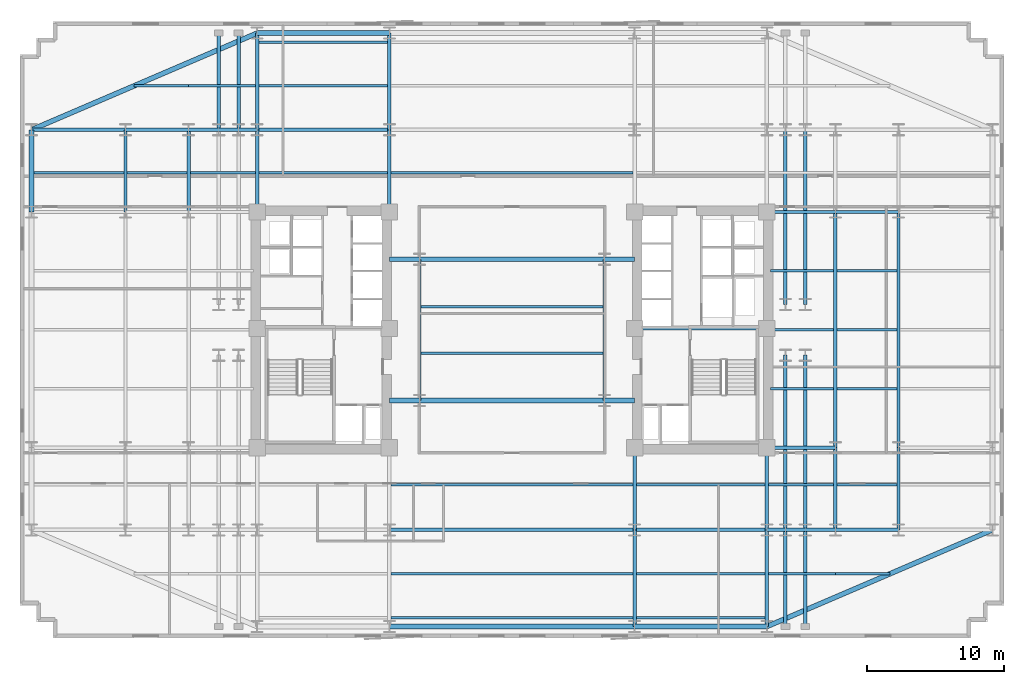
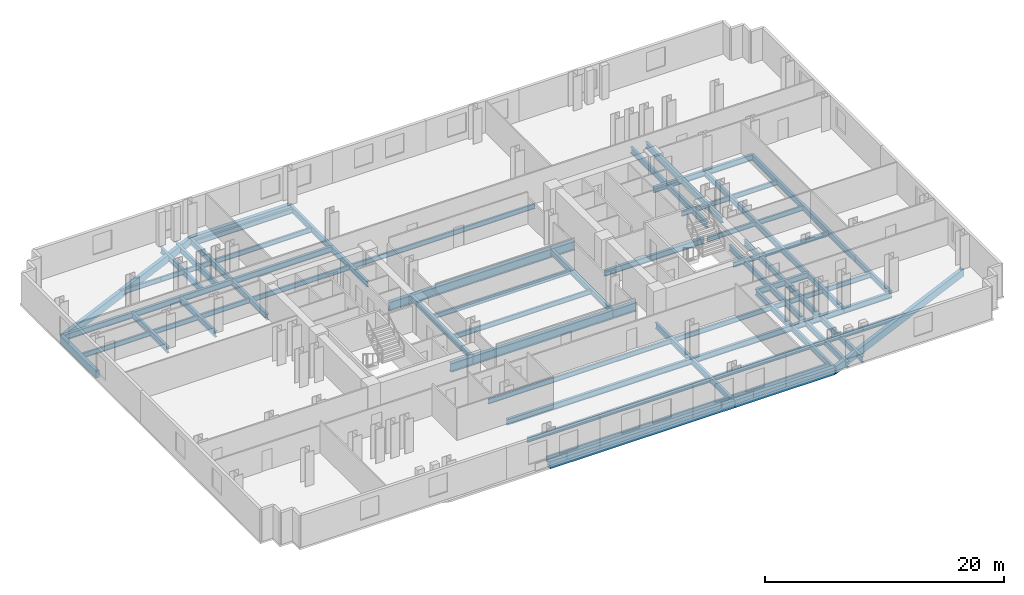
# One storey, part 2 of 10: 75 beams.
"""IFC4 building model written with IfcOpenShell, lengths in metres."""

from ifc_helpers import new_model, si_unit, direction, frame, origin, origin_2d, place, context, subcontext, project, spatial, rectangle, i_section, extrude, material, material_profile, profile_set, type_object, element, save


model = new_model("IFC4")

# Units and contexts
model_context = context("Model", 3, precision=1e-05, world=origin(), true_north=direction((0.0, 1.0)))
body_context = subcontext(model_context, "Body", "Model", "MODEL_VIEW")
ifc_project = project(units=[si_unit("LENGTHUNIT", "METRE"), si_unit("AREAUNIT", "SQUARE_METRE"), si_unit("VOLUMEUNIT", "CUBIC_METRE"), si_unit("PLANEANGLEUNIT", "RADIAN"), si_unit("MASSUNIT", "GRAM", prefix="KILO")], contexts=[model_context])

# Site, building, storey
site_placement = place(None, origin())
site = spatial("IfcSite", under=ifc_project, at=site_placement, CompositionType="ELEMENT")
building_placement = place(site_placement, origin())
building = spatial("IfcBuilding", under=site, at=building_placement, Name="Velakula Bourse", CompositionType="ELEMENT")
storey_placement = place(building_placement, frame((0.0, 0.0, 34.64990234375)))
storey = spatial("IfcBuildingStorey", under=building, at=storey_placement, Name="L08", CompositionType="ELEMENT", Elevation=34.64990234375)

# Beams
ifc_material_1 = material(Name="Steel IS 2062 Grade 350 (E350)", Category="steel")
ifc_material_profile_1 = material_profile(ifc_material_1, i_section(OverallWidth=0.25, OverallDepth=0.60009765625, WebThickness=0.01171875, FlangeThickness=0.023681640625, at=origin_2d()), Name="Steel IS 2062 Grade 350 (E350)")
ifc_profile_set_1 = profile_set([ifc_material_profile_1], Name="Steel IS 2062 Grade 350 (E350)")
beam_type_1 = type_object("IfcBeamType", Name="BM-GRD-600H", PredefinedType="BEAM", material=ifc_profile_set_1)
beam_1_placement = place(storey_placement, frame((8.949951171875, 0.10009765625, -0.47998046875), z_axis=(1.0, 0.0, 0.0), x_axis=(0.0, 1.0, 0.0)))
element("IfcBeam", 1, at=beam_1_placement, inside=storey, type_object=beam_type_1, Name="L08 Primary Backbone Girder CRE-M", PredefinedType="BEAM", context=body_context, shape_type="SweptSolid", body=[
    extrude(i_section(OverallWidth=0.25, OverallDepth=0.60009765625, WebThickness=0.01171875, FlangeThickness=0.023681640625, at=origin_2d()), origin(), (0.0, 0.0, 1.0), 9.650146484375),
])
for number, where, z_axis, x_axis, name in (
    (2, (-6.75, -5.14990234375, -0.47998046875), (0.0, 1.0, 0.0), (-1.0, 0.0, 0.0), "L08 Primary Backbone Girder SPN-W"),
    (3, (6.75, -5.14990234375, -0.47998046875), (0.0, 1.0, 0.0), (-1.0, 0.0, 0.0), "L08 Primary Backbone Girder SPN-E"),
):
    element("IfcBeam", number, at=place(storey_placement, frame(where, z_axis=z_axis, x_axis=x_axis)), inside=storey, type_object=beam_type_1, Name=name, PredefinedType="BEAM", context=body_context, shape_type="SweptSolid", body=[
        extrude(i_section(OverallWidth=0.25, OverallDepth=0.60009765625, WebThickness=0.01171875, FlangeThickness=0.023681640625, at=origin_2d()), origin(), (0.0, 0.0, 1.0), 10.2998046875),
    ])
for number, where, z_axis, x_axis, name in (
    (4, (-18.60009765625, 8.60009765625, -0.47998046875), (0.0, 1.0, 0.0), (-1.0, 0.0, 0.0), "L08 Fulcrum Grid Girder FLC-WN"),
    (5, (-8.949951171875, 8.60009765625, -0.47998046875), (0.0, 1.0, 0.0), (-1.0, 0.0, 0.0), "L08 Fulcrum Grid Girder FLC-WCN"),
    (6, (8.949951171875, -14.60009765625, -0.47998046875), (0.0, 1.0, 0.0), (-1.0, 0.0, 0.0), "L08 Fulcrum Grid Girder FLC-ECS"),
    (7, (18.60009765625, -14.60009765625, -0.47998046875), (0.0, 1.0, 0.0), (-1.0, 0.0, 0.0), "L08 Fulcrum Grid Girder FLC-ES"),
):
    element("IfcBeam", number, at=place(storey_placement, frame(where, z_axis=z_axis, x_axis=x_axis)), inside=storey, type_object=beam_type_1, Name=name, PredefinedType="BEAM", context=body_context, shape_type="SweptSolid", body=[
        extrude(i_section(OverallWidth=0.25, OverallDepth=0.60009765625, WebThickness=0.01171875, FlangeThickness=0.023681640625, at=origin_2d()), origin(), (0.0, 0.0, 1.0), 6.0),
    ])
beam_2_placement = place(storey_placement, frame((-8.949951171875, -14.60009765625, -0.47998046875), z_axis=(1.0, 0.0, 0.0), x_axis=(0.0, 1.0, 0.0)))
element("IfcBeam", 8, at=beam_2_placement, inside=storey, type_object=beam_type_1, Name="L08 Fulcrum Grid Girder FLC-S2", PredefinedType="BEAM", context=body_context, shape_type="SweptSolid", body=[
    extrude(i_section(OverallWidth=0.25, OverallDepth=0.60009765625, WebThickness=0.01171875, FlangeThickness=0.023681640625, at=origin_2d()), origin(), (0.0, 0.0, 1.0), 17.89990234375),
])
for number, where, z_axis, x_axis, name in (
    (9, (8.949951171875, -14.60009765625, -0.47998046875), (1.0, 0.0, 0.0), (0.0, 1.0, 0.0), "L08 Fulcrum Grid Girder FLC-S3"),
    (10, (-18.60009765625, 14.60009765625, -0.47998046875), (1.0, 0.0, 0.0), (0.0, 1.0, 0.0), "L08 Fulcrum Grid Girder FLC-N1"),
):
    element("IfcBeam", number, at=place(storey_placement, frame(where, z_axis=z_axis, x_axis=x_axis)), inside=storey, type_object=beam_type_1, Name=name, PredefinedType="BEAM", context=body_context, shape_type="SweptSolid", body=[
        extrude(i_section(OverallWidth=0.25, OverallDepth=0.60009765625, WebThickness=0.01171875, FlangeThickness=0.023681640625, at=origin_2d()), origin(), (0.0, 0.0, 1.0), 9.650146484375),
    ])
for number, where, z_axis, x_axis, name in (
    (11, (19.949951171875, -14.60009765625, -0.47998046875), (0.0, 1.0, 0.0), (-1.0, 0.0, 0.0), "L08 Fulcrum Grid Girder FLC-PSE1"),
    (12, (19.949951171875, 1.85009765625, -0.47998046875), (0.0, 1.0, 0.0), (-1.0, 0.0, 0.0), "L08 Fulcrum Grid Girder FLC-PNE1"),
    (13, (21.39990234375, -14.60009765625, -0.47998046875), (0.0, 1.0, 0.0), (-1.0, 0.0, 0.0), "L08 Fulcrum Grid Girder FLC-PSE2"),
    (14, (21.39990234375, 1.85009765625, -0.47998046875), (0.0, 1.0, 0.0), (-1.0, 0.0, 0.0), "L08 Fulcrum Grid Girder FLC-PNE2"),
):
    element("IfcBeam", number, at=place(storey_placement, frame(where, z_axis=z_axis, x_axis=x_axis)), inside=storey, type_object=beam_type_1, Name=name, PredefinedType="BEAM", context=body_context, shape_type="SweptSolid", body=[
        extrude(i_section(OverallWidth=0.25, OverallDepth=0.60009765625, WebThickness=0.01171875, FlangeThickness=0.023681640625, at=origin_2d()), origin(), (0.0, 0.0, 1.0), 12.75),
    ])
beam_3_placement = place(storey_placement, frame((-23.60009765625, 14.60009765625, -0.47998046875), z_axis=(1.0, 0.0, 0.0), x_axis=(0.0, 1.0, 0.0)))
element("IfcBeam", 15, at=beam_3_placement, inside=storey, type_object=beam_type_1, Name="L08 Fulcrum Grid Girder MWG-WN2", PredefinedType="BEAM", context=body_context, shape_type="SweptSolid", body=[
    extrude(i_section(OverallWidth=0.25, OverallDepth=0.60009765625, WebThickness=0.01171875, FlangeThickness=0.023681640625, at=origin_2d()), origin(), (0.0, 0.0, 1.0), 5.0),
])
beam_4_placement = place(storey_placement, frame((-23.60009765625, 8.60009765625, -0.47998046875), z_axis=(0.0, 1.0, 0.0), x_axis=(-1.0, 0.0, 0.0)))
element("IfcBeam", 16, at=beam_4_placement, inside=storey, type_object=beam_type_1, Name="L08 Fulcrum Grid Girder MWG-WNS3", PredefinedType="BEAM", context=body_context, shape_type="SweptSolid", body=[
    extrude(i_section(OverallWidth=0.25, OverallDepth=0.60009765625, WebThickness=0.01171875, FlangeThickness=0.023681640625, at=origin_2d()), origin(), (0.0, 0.0, 1.0), 6.0),
])
for number, where, z_axis, x_axis, name in (
    (17, (18.60009765625, -14.60009765625, -0.47998046875), (1.0, 0.0, 0.0), (0.0, 1.0, 0.0), "L08 Fulcrum Grid Girder MWG-ES1"),
    (18, (18.60009765625, -8.60009765625, -0.47998046875), (1.0, 0.0, 0.0), (0.0, 1.0, 0.0), "L08 Fulcrum Grid Girder MWG-ES2"),
    (19, (18.60009765625, 8.60009765625, -0.47998046875), (1.0, 0.0, 0.0), (0.0, 1.0, 0.0), "L08 Fulcrum Grid Girder MWG-EN1"),
):
    element("IfcBeam", number, at=place(storey_placement, frame(where, z_axis=z_axis, x_axis=x_axis)), inside=storey, type_object=beam_type_1, Name=name, PredefinedType="BEAM", context=body_context, shape_type="SweptSolid", body=[
        extrude(i_section(OverallWidth=0.25, OverallDepth=0.60009765625, WebThickness=0.01171875, FlangeThickness=0.023681640625, at=origin_2d()), origin(), (0.0, 0.0, 1.0), 5.0),
    ])
beam_5_placement = place(storey_placement, frame((23.60009765625, -14.60009765625, -0.47998046875), z_axis=(0.0, 1.0, 0.0), x_axis=(-1.0, 0.0, 0.0)))
element("IfcBeam", 20, at=beam_5_placement, inside=storey, type_object=beam_type_1, Name="L08 Fulcrum Grid Girder MWG-ENS1", PredefinedType="BEAM", context=body_context, shape_type="SweptSolid", body=[
    extrude(i_section(OverallWidth=0.25, OverallDepth=0.60009765625, WebThickness=0.01171875, FlangeThickness=0.023681640625, at=origin_2d()), origin(), (0.0, 0.0, 1.0), 6.0),
])
beam_6_placement = place(storey_placement, frame((23.60009765625, -8.60009765625, -0.47998046875), z_axis=(0.0, 1.0, 0.0), x_axis=(-1.0, 0.0, 0.0)))
element("IfcBeam", 21, at=beam_6_placement, inside=storey, type_object=beam_type_1, Name="L08 Fulcrum Grid Girder MWG-ENS2", PredefinedType="BEAM", context=body_context, shape_type="SweptSolid", body=[
    extrude(i_section(OverallWidth=0.25, OverallDepth=0.60009765625, WebThickness=0.01171875, FlangeThickness=0.023681640625, at=origin_2d()), origin(), (0.0, 0.0, 1.0), 17.2001953125),
])
beam_7_placement = place(storey_placement, frame((-28.199951171875, 14.60009765625, -0.47998046875), z_axis=(1.0, 0.0, 0.0), x_axis=(0.0, 1.0, 0.0)))
element("IfcBeam", 22, at=beam_7_placement, inside=storey, type_object=beam_type_1, Name="L08 Fulcrum Grid Girder WNG-WN2", PredefinedType="BEAM", context=body_context, shape_type="SweptSolid", body=[
    extrude(i_section(OverallWidth=0.25, OverallDepth=0.60009765625, WebThickness=0.01171875, FlangeThickness=0.023681640625, at=origin_2d()), origin(), (0.0, 0.0, 1.0), 4.599853515625),
])
beam_8_placement = place(storey_placement, frame((-28.199951171875, 8.60009765625, -0.47998046875), z_axis=(0.0, 1.0, 0.0), x_axis=(-1.0, 0.0, 0.0)))
element("IfcBeam", 23, at=beam_8_placement, inside=storey, type_object=beam_type_1, Name="L08 Fulcrum Grid Girder WNG-WNS3", PredefinedType="BEAM", context=body_context, shape_type="SweptSolid", body=[
    extrude(i_section(OverallWidth=0.25, OverallDepth=0.60009765625, WebThickness=0.01171875, FlangeThickness=0.023681640625, at=origin_2d()), origin(), (0.0, 0.0, 1.0), 6.0),
])
for number, where, z_axis, x_axis, name in (
    (24, (23.60009765625, -14.60009765625, -0.47998046875), (1.0, 0.0, 0.0), (0.0, 1.0, 0.0), "L08 Fulcrum Grid Girder WNG-ES1"),
    (25, (23.60009765625, 8.60009765625, -0.47998046875), (1.0, 0.0, 0.0), (0.0, 1.0, 0.0), "L08 Fulcrum Grid Girder WNG-EN1"),
):
    element("IfcBeam", number, at=place(storey_placement, frame(where, z_axis=z_axis, x_axis=x_axis)), inside=storey, type_object=beam_type_1, Name=name, PredefinedType="BEAM", context=body_context, shape_type="SweptSolid", body=[
        extrude(i_section(OverallWidth=0.25, OverallDepth=0.60009765625, WebThickness=0.01171875, FlangeThickness=0.023681640625, at=origin_2d()), origin(), (0.0, 0.0, 1.0), 4.599853515625),
    ])
beam_9_placement = place(storey_placement, frame((28.199951171875, -14.60009765625, -0.47998046875), z_axis=(0.0, 1.0, 0.0), x_axis=(-1.0, 0.0, 0.0)))
element("IfcBeam", 26, at=beam_9_placement, inside=storey, type_object=beam_type_1, Name="L08 Fulcrum Grid Girder WNG-ENS1", PredefinedType="BEAM", context=body_context, shape_type="SweptSolid", body=[
    extrude(i_section(OverallWidth=0.25, OverallDepth=0.60009765625, WebThickness=0.01171875, FlangeThickness=0.023681640625, at=origin_2d()), origin(), (0.0, 0.0, 1.0), 6.0),
])
beam_10_placement = place(storey_placement, frame((28.199951171875, -8.60009765625, -0.47998046875), z_axis=(0.0, 1.0, 0.0), x_axis=(-1.0, 0.0, 0.0)))
element("IfcBeam", 27, at=beam_10_placement, inside=storey, type_object=beam_type_1, Name="L08 Fulcrum Grid Girder WNG-ENS2", PredefinedType="BEAM", context=body_context, shape_type="SweptSolid", body=[
    extrude(i_section(OverallWidth=0.25, OverallDepth=0.60009765625, WebThickness=0.01171875, FlangeThickness=0.023681640625, at=origin_2d()), origin(), (0.0, 0.0, 1.0), 17.2001953125),
])
for number, where, z_axis, x_axis, name in (
    (28, (8.949951171875, -14.60009765625, -0.47998046875), (0.0, -1.0, 0.0), (1.0, 0.0, 0.0), "L08 Perimeter Tie Girder S3"),
    (29, (18.60009765625, -14.60009765625, -0.47998046875), (0.0, -1.0, 0.0), (1.0, 0.0, 0.0), "L08 Perimeter Tie Girder S4"),
    (30, (-18.60009765625, 14.60009765625, -0.47998046875), (0.0, 1.0, 0.0), (-1.0, 0.0, 0.0), "L08 Perimeter Tie Girder N1"),
    (31, (-8.949951171875, 14.60009765625, -0.47998046875), (0.0, 1.0, 0.0), (-1.0, 0.0, 0.0), "L08 Perimeter Tie Girder N2"),
):
    element("IfcBeam", number, at=place(storey_placement, frame(where, z_axis=z_axis, x_axis=x_axis)), inside=storey, type_object=beam_type_1, Name=name, PredefinedType="BEAM", context=body_context, shape_type="SweptSolid", body=[
        extrude(i_section(OverallWidth=0.25, OverallDepth=0.60009765625, WebThickness=0.01171875, FlangeThickness=0.023681640625, at=origin_2d()), origin(), (0.0, 0.0, 1.0), 7.0498046875),
    ])
beam_11_placement = place(storey_placement, frame((-28.199951171875, 14.60009765625, -0.47998046875), z_axis=(-1.0, 0.0, 0.0), x_axis=(0.0, -1.0, 0.0)))
element("IfcBeam", 32, at=beam_11_placement, inside=storey, type_object=beam_type_1, Name="L08 Perimeter Tie Girder W4", PredefinedType="BEAM", context=body_context, shape_type="SweptSolid", body=[
    extrude(i_section(OverallWidth=0.25, OverallDepth=0.60009765625, WebThickness=0.01171875, FlangeThickness=0.023681640625, at=origin_2d()), origin(), (0.0, 0.0, 1.0), 6.85009765625),
])
for number, where, z_axis, x_axis, name in (
    (33, (19.949951171875, -14.60009765625, -0.47998046875), (0.0, -1.0, 0.0), (1.0, 0.0, 0.0), "L08 Perimeter Tie Girder P03"),
    (34, (21.39990234375, -14.60009765625, -0.47998046875), (0.0, -1.0, 0.0), (1.0, 0.0, 0.0), "L08 Perimeter Tie Girder P04"),
    (35, (-21.39990234375, 14.60009765625, -0.47998046875), (0.0, 1.0, 0.0), (-1.0, 0.0, 0.0), "L08 Perimeter Tie Girder P05"),
    (36, (-19.949951171875, 14.60009765625, -0.47998046875), (0.0, 1.0, 0.0), (-1.0, 0.0, 0.0), "L08 Perimeter Tie Girder P06"),
):
    element("IfcBeam", number, at=place(storey_placement, frame(where, z_axis=z_axis, x_axis=x_axis)), inside=storey, type_object=beam_type_1, Name=name, PredefinedType="BEAM", context=body_context, shape_type="SweptSolid", body=[
        extrude(i_section(OverallWidth=0.25, OverallDepth=0.60009765625, WebThickness=0.01171875, FlangeThickness=0.023681640625, at=origin_2d()), origin(), (0.0, 0.0, 1.0), 7.0498046875),
    ])
ifc_material_profile_2 = material_profile(ifc_material_1, i_section(OverallWidth=0.35009765625, OverallDepth=0.89990234375, WebThickness=0.02001953125, FlangeThickness=0.031982421875, at=origin_2d()), Name="Steel IS 2062 Grade 350 (E350)")
ifc_profile_set_2 = profile_set([ifc_material_profile_2], Name="Steel IS 2062 Grade 350 (E350)")
beam_type_2 = type_object("IfcBeamType", Name="BM-LNK-900", PredefinedType="BEAM", material=ifc_profile_set_2)
beam_12_placement = place(storey_placement, frame((-8.949951171875, -5.14990234375, -0.6298828125), z_axis=(1.0, 0.0, 0.0), x_axis=(0.0, 1.0, 0.0)))
element("IfcBeam", 37, at=beam_12_placement, inside=storey, type_object=beam_type_2, Name="L08 Primary Backbone Girder LNK-S1", PredefinedType="BEAM", context=body_context, shape_type="SweptSolid", body=[
    extrude(i_section(OverallWidth=0.35009765625, OverallDepth=0.89990234375, WebThickness=0.02001953125, FlangeThickness=0.031982421875, at=origin_2d()), origin(), (0.0, 0.0, 1.0), 2.199951171875),
])
beam_13_placement = place(storey_placement, frame((-6.75, -5.14990234375, -0.6298828125), z_axis=(1.0, 0.0, 0.0), x_axis=(0.0, 1.0, 0.0)))
element("IfcBeam", 38, at=beam_13_placement, inside=storey, type_object=beam_type_2, Name="L08 Primary Backbone Girder LNK-S2", PredefinedType="BEAM", context=body_context, shape_type="SweptSolid", body=[
    extrude(i_section(OverallWidth=0.35009765625, OverallDepth=0.89990234375, WebThickness=0.02001953125, FlangeThickness=0.031982421875, at=origin_2d()), origin(), (0.0, 0.0, 1.0), 13.5),
])
for number, where, z_axis, x_axis, name in (
    (39, (6.75, -5.14990234375, -0.6298828125), (1.0, 0.0, 0.0), (0.0, 1.0, 0.0), "L08 Primary Backbone Girder LNK-S3"),
    (40, (-8.949951171875, 5.14990234375, -0.6298828125), (1.0, 0.0, 0.0), (0.0, 1.0, 0.0), "L08 Primary Backbone Girder LNK-N1"),
):
    element("IfcBeam", number, at=place(storey_placement, frame(where, z_axis=z_axis, x_axis=x_axis)), inside=storey, type_object=beam_type_2, Name=name, PredefinedType="BEAM", context=body_context, shape_type="SweptSolid", body=[
        extrude(i_section(OverallWidth=0.35009765625, OverallDepth=0.89990234375, WebThickness=0.02001953125, FlangeThickness=0.031982421875, at=origin_2d()), origin(), (0.0, 0.0, 1.0), 2.199951171875),
    ])
beam_14_placement = place(storey_placement, frame((-6.75, 5.14990234375, -0.6298828125), z_axis=(1.0, 0.0, 0.0), x_axis=(0.0, 1.0, 0.0)))
element("IfcBeam", 41, at=beam_14_placement, inside=storey, type_object=beam_type_2, Name="L08 Primary Backbone Girder LNK-N2", PredefinedType="BEAM", context=body_context, shape_type="SweptSolid", body=[
    extrude(i_section(OverallWidth=0.35009765625, OverallDepth=0.89990234375, WebThickness=0.02001953125, FlangeThickness=0.031982421875, at=origin_2d()), origin(), (0.0, 0.0, 1.0), 13.5),
])
beam_15_placement = place(storey_placement, frame((6.75, 5.14990234375, -0.6298828125), z_axis=(1.0, 0.0, 0.0), x_axis=(0.0, 1.0, 0.0)))
element("IfcBeam", 42, at=beam_15_placement, inside=storey, type_object=beam_type_2, Name="L08 Primary Backbone Girder LNK-N3", PredefinedType="BEAM", context=body_context, shape_type="SweptSolid", body=[
    extrude(i_section(OverallWidth=0.35009765625, OverallDepth=0.89990234375, WebThickness=0.02001953125, FlangeThickness=0.031982421875, at=origin_2d()), origin(), (0.0, 0.0, 1.0), 2.199951171875),
])
ifc_material_profile_3 = material_profile(ifc_material_1, i_section(OverallWidth=0.179931640625, OverallDepth=0.5, WebThickness=0.01025390625, FlangeThickness=0.01708984375, at=origin_2d()), Name="Steel IS 2062 Grade 350 (E350)")
ifc_profile_set_3 = profile_set([ifc_material_profile_3], Name="Steel IS 2062 Grade 350 (E350)")
beam_type_3 = type_object("IfcBeamType", Name="JST-TWR-500", PredefinedType="JOIST", material=ifc_profile_set_3)
beam_16_placement = place(storey_placement, frame((-8.824951171875, -21.0, -0.429931640625), z_axis=(1.0, 0.0, 0.0), x_axis=(0.0, 1.0, 0.0)))
element("IfcBeam", 43, at=beam_16_placement, inside=storey, type_object=beam_type_3, Name="L08 Trading Floor Composite Joist 02", PredefinedType="JOIST", context=body_context, shape_type="SweptSolid", body=[
    extrude(i_section(OverallWidth=0.179931640625, OverallDepth=0.5, WebThickness=0.01025390625, FlangeThickness=0.01708984375, at=origin_2d()), origin(), (0.0, 0.0, 1.0), 17.64990234375),
])
beam_17_placement = place(storey_placement, frame((9.074951171875, -21.0, -0.429931640625), z_axis=(1.0, 0.0, 0.0), x_axis=(0.0, 1.0, 0.0)))
element("IfcBeam", 44, at=beam_17_placement, inside=storey, type_object=beam_type_3, Name="L08 Trading Floor Composite Joist 03", PredefinedType="JOIST", context=body_context, shape_type="SweptSolid", body=[
    extrude(i_section(OverallWidth=0.179931640625, OverallDepth=0.5, WebThickness=0.01025390625, FlangeThickness=0.01708984375, at=origin_2d()), origin(), (0.0, 0.0, 1.0), 9.400146484375),
])
beam_18_placement = place(storey_placement, frame((-8.824951171875, -17.800048828125, -0.429931640625), z_axis=(1.0, 0.0, 0.0), x_axis=(0.0, 1.0, 0.0)))
element("IfcBeam", 45, at=beam_18_placement, inside=storey, type_object=beam_type_3, Name="L08 Trading Floor Composite Joist 07", PredefinedType="JOIST", context=body_context, shape_type="SweptSolid", body=[
    extrude(i_section(OverallWidth=0.179931640625, OverallDepth=0.5, WebThickness=0.01025390625, FlangeThickness=0.01708984375, at=origin_2d()), origin(), (0.0, 0.0, 1.0), 17.64990234375),
])
beam_19_placement = place(storey_placement, frame((9.074951171875, -17.800048828125, -0.429931640625), z_axis=(1.0, 0.0, 0.0), x_axis=(0.0, 1.0, 0.0)))
element("IfcBeam", 46, at=beam_19_placement, inside=storey, type_object=beam_type_3, Name="L08 Trading Floor Composite Joist 08", PredefinedType="JOIST", context=body_context, shape_type="SweptSolid", body=[
    extrude(i_section(OverallWidth=0.179931640625, OverallDepth=0.5, WebThickness=0.01025390625, FlangeThickness=0.01708984375, at=origin_2d()), origin(), (0.0, 0.0, 1.0), 9.400146484375),
])
beam_20_placement = place(storey_placement, frame((18.72509765625, -17.800048828125, -0.429931640625), z_axis=(1.0, 0.0, 0.0), x_axis=(0.0, 1.0, 0.0)))
element("IfcBeam", 47, at=beam_20_placement, inside=storey, type_object=beam_type_3, Name="L08 Trading Floor Composite Joist 09", PredefinedType="JOIST", context=body_context, shape_type="SweptSolid", body=[
    extrude(i_section(OverallWidth=0.179931640625, OverallDepth=0.5, WebThickness=0.01025390625, FlangeThickness=0.01708984375, at=origin_2d()), origin(), (0.0, 0.0, 1.0), 4.875),
])
beam_21_placement = place(storey_placement, frame((23.60009765625, -17.800048828125, -0.429931640625), z_axis=(1.0, 0.0, 0.0), x_axis=(0.0, 1.0, 0.0)))
element("IfcBeam", 48, at=beam_21_placement, inside=storey, type_object=beam_type_3, Name="L08 Trading Floor Composite Joist 10", PredefinedType="JOIST", context=body_context, shape_type="SweptSolid", body=[
    extrude(i_section(OverallWidth=0.179931640625, OverallDepth=0.5, WebThickness=0.01025390625, FlangeThickness=0.01708984375, at=origin_2d()), origin(), (0.0, 0.0, 1.0), 3.983154296875),
])
beam_22_placement = place(storey_placement, frame((-8.824951171875, -11.300048828125, -0.429931640625), z_axis=(1.0, 0.0, 0.0), x_axis=(0.0, 1.0, 0.0)))
element("IfcBeam", 49, at=beam_22_placement, inside=storey, type_object=beam_type_3, Name="L08 Trading Floor Composite Joist 15", PredefinedType="JOIST", context=body_context, shape_type="SweptSolid", body=[
    extrude(i_section(OverallWidth=0.179931640625, OverallDepth=0.5, WebThickness=0.01025390625, FlangeThickness=0.01708984375, at=origin_2d()), origin(), (0.0, 0.0, 1.0), 17.64990234375),
])
beam_23_placement = place(storey_placement, frame((9.074951171875, -11.300048828125, -0.429931640625), z_axis=(1.0, 0.0, 0.0), x_axis=(0.0, 1.0, 0.0)))
element("IfcBeam", 50, at=beam_23_placement, inside=storey, type_object=beam_type_3, Name="L08 Trading Floor Composite Joist 16", PredefinedType="JOIST", context=body_context, shape_type="SweptSolid", body=[
    extrude(i_section(OverallWidth=0.179931640625, OverallDepth=0.5, WebThickness=0.01025390625, FlangeThickness=0.01708984375, at=origin_2d()), origin(), (0.0, 0.0, 1.0), 9.400146484375),
])
beam_24_placement = place(storey_placement, frame((18.72509765625, -11.300048828125, -0.429931640625), z_axis=(1.0, 0.0, 0.0), x_axis=(0.0, 1.0, 0.0)))
element("IfcBeam", 51, at=beam_24_placement, inside=storey, type_object=beam_type_3, Name="L08 Trading Floor Composite Joist 17", PredefinedType="JOIST", context=body_context, shape_type="SweptSolid", body=[
    extrude(i_section(OverallWidth=0.179931640625, OverallDepth=0.5, WebThickness=0.01025390625, FlangeThickness=0.01708984375, at=origin_2d()), origin(), (0.0, 0.0, 1.0), 4.75),
])
beam_25_placement = place(storey_placement, frame((23.72509765625, -11.300048828125, -0.429931640625), z_axis=(1.0, 0.0, 0.0), x_axis=(0.0, 1.0, 0.0)))
element("IfcBeam", 52, at=beam_25_placement, inside=storey, type_object=beam_type_3, Name="L08 Trading Floor Composite Joist 18", PredefinedType="JOIST", context=body_context, shape_type="SweptSolid", body=[
    extrude(i_section(OverallWidth=0.179931640625, OverallDepth=0.5, WebThickness=0.01025390625, FlangeThickness=0.01708984375, at=origin_2d()), origin(), (0.0, 0.0, 1.0), 4.349853515625),
])
beam_26_placement = place(storey_placement, frame((-34.875, 11.449951171875, -0.429931640625), z_axis=(1.0, 0.0, 0.0), x_axis=(0.0, 1.0, 0.0)))
element("IfcBeam", 53, at=beam_26_placement, inside=storey, type_object=beam_type_3, Name="L08 Trading Floor Composite Joist 20", PredefinedType="JOIST", context=body_context, shape_type="SweptSolid", body=[
    extrude(i_section(OverallWidth=0.179931640625, OverallDepth=0.5, WebThickness=0.01025390625, FlangeThickness=0.01708984375, at=origin_2d()), origin(), (0.0, 0.0, 1.0), 6.550048828125),
])
beam_27_placement = place(storey_placement, frame((-28.074951171875, 11.449951171875, -0.429931640625), z_axis=(1.0, 0.0, 0.0), x_axis=(0.0, 1.0, 0.0)))
element("IfcBeam", 54, at=beam_27_placement, inside=storey, type_object=beam_type_3, Name="L08 Trading Floor Composite Joist 21", PredefinedType="JOIST", context=body_context, shape_type="SweptSolid", body=[
    extrude(i_section(OverallWidth=0.179931640625, OverallDepth=0.5, WebThickness=0.01025390625, FlangeThickness=0.01708984375, at=origin_2d()), origin(), (0.0, 0.0, 1.0), 4.349853515625),
])
beam_28_placement = place(storey_placement, frame((-23.47509765625, 11.449951171875, -0.429931640625), z_axis=(1.0, 0.0, 0.0), x_axis=(0.0, 1.0, 0.0)))
element("IfcBeam", 55, at=beam_28_placement, inside=storey, type_object=beam_type_3, Name="L08 Trading Floor Composite Joist 22", PredefinedType="JOIST", context=body_context, shape_type="SweptSolid", body=[
    extrude(i_section(OverallWidth=0.179931640625, OverallDepth=0.5, WebThickness=0.01025390625, FlangeThickness=0.01708984375, at=origin_2d()), origin(), (0.0, 0.0, 1.0), 4.75),
])
beam_29_placement = place(storey_placement, frame((-18.47509765625, 11.449951171875, -0.429931640625), z_axis=(1.0, 0.0, 0.0), x_axis=(0.0, 1.0, 0.0)))
element("IfcBeam", 56, at=beam_29_placement, inside=storey, type_object=beam_type_3, Name="L08 Trading Floor Composite Joist 23", PredefinedType="JOIST", context=body_context, shape_type="SweptSolid", body=[
    extrude(i_section(OverallWidth=0.179931640625, OverallDepth=0.5, WebThickness=0.01025390625, FlangeThickness=0.01708984375, at=origin_2d()), origin(), (0.0, 0.0, 1.0), 9.400146484375),
])
beam_30_placement = place(storey_placement, frame((-8.824951171875, 11.449951171875, -0.429931640625), z_axis=(1.0, 0.0, 0.0), x_axis=(0.0, 1.0, 0.0)))
element("IfcBeam", 57, at=beam_30_placement, inside=storey, type_object=beam_type_3, Name="L08 Trading Floor Composite Joist 24", PredefinedType="JOIST", context=body_context, shape_type="SweptSolid", body=[
    extrude(i_section(OverallWidth=0.179931640625, OverallDepth=0.5, WebThickness=0.01025390625, FlangeThickness=0.01708984375, at=origin_2d()), origin(), (0.0, 0.0, 1.0), 17.64990234375),
])
beam_31_placement = place(storey_placement, frame((-27.583251953125, 17.800048828125, -0.429931640625), z_axis=(1.0, 0.0, 0.0), x_axis=(0.0, 1.0, 0.0)))
element("IfcBeam", 58, at=beam_31_placement, inside=storey, type_object=beam_type_3, Name="L08 Trading Floor Composite Joist 29", PredefinedType="JOIST", context=body_context, shape_type="SweptSolid", body=[
    extrude(i_section(OverallWidth=0.179931640625, OverallDepth=0.5, WebThickness=0.01025390625, FlangeThickness=0.01708984375, at=origin_2d()), origin(), (0.0, 0.0, 1.0), 3.983154296875),
])
beam_32_placement = place(storey_placement, frame((-23.60009765625, 17.800048828125, -0.429931640625), z_axis=(1.0, 0.0, 0.0), x_axis=(0.0, 1.0, 0.0)))
element("IfcBeam", 59, at=beam_32_placement, inside=storey, type_object=beam_type_3, Name="L08 Trading Floor Composite Joist 30", PredefinedType="JOIST", context=body_context, shape_type="SweptSolid", body=[
    extrude(i_section(OverallWidth=0.179931640625, OverallDepth=0.5, WebThickness=0.01025390625, FlangeThickness=0.01708984375, at=origin_2d()), origin(), (0.0, 0.0, 1.0), 4.875),
])
for number, where, z_axis, x_axis, name in (
    (60, (-18.47509765625, 17.800048828125, -0.429931640625), (1.0, 0.0, 0.0), (0.0, 1.0, 0.0), "L08 Trading Floor Composite Joist 31"),
    (61, (-18.47509765625, 21.0, -0.429931640625), (1.0, 0.0, 0.0), (0.0, 1.0, 0.0), "L08 Trading Floor Composite Joist 36"),
):
    element("IfcBeam", number, at=place(storey_placement, frame(where, z_axis=z_axis, x_axis=x_axis)), inside=storey, type_object=beam_type_3, Name=name, PredefinedType="JOIST", context=body_context, shape_type="SweptSolid", body=[
        extrude(i_section(OverallWidth=0.179931640625, OverallDepth=0.5, WebThickness=0.01025390625, FlangeThickness=0.01708984375, at=origin_2d()), origin(), (0.0, 0.0, 1.0), 9.400146484375),
    ])
for number, where, z_axis, x_axis, name in (
    (62, (-6.625, -1.699951171875, -0.429931640625), (1.0, 0.0, 0.0), (0.0, 1.0, 0.0), "L08 Trading Floor Composite Joist 39"),
    (63, (-6.625, 1.699951171875, -0.429931640625), (1.0, 0.0, 0.0), (0.0, 1.0, 0.0), "L08 Trading Floor Composite Joist 40"),
):
    element("IfcBeam", number, at=place(storey_placement, frame(where, z_axis=z_axis, x_axis=x_axis)), inside=storey, type_object=beam_type_3, Name=name, PredefinedType="JOIST", context=body_context, shape_type="SweptSolid", body=[
        extrude(i_section(OverallWidth=0.179931640625, OverallDepth=0.5, WebThickness=0.01025390625, FlangeThickness=0.01708984375, at=origin_2d()), origin(), (0.0, 0.0, 1.0), 13.25),
    ])
beam_33_placement = place(storey_placement, frame((18.85009765625, -4.300048828125, -0.429931640625), z_axis=(1.0, 0.0, 0.0), x_axis=(0.0, 1.0, 0.0)))
element("IfcBeam", 64, at=beam_33_placement, inside=storey, type_object=beam_type_3, Name="L08 Trading Floor Composite Joist 44", PredefinedType="JOIST", context=body_context, shape_type="SweptSolid", body=[
    extrude(i_section(OverallWidth=0.179931640625, OverallDepth=0.5, WebThickness=0.01025390625, FlangeThickness=0.01708984375, at=origin_2d()), origin(), (0.0, 0.0, 1.0), 4.625),
])
beam_34_placement = place(storey_placement, frame((23.72509765625, -4.300048828125, -0.429931640625), z_axis=(1.0, 0.0, 0.0), x_axis=(0.0, 1.0, 0.0)))
element("IfcBeam", 65, at=beam_34_placement, inside=storey, type_object=beam_type_3, Name="L08 Trading Floor Composite Joist 45", PredefinedType="JOIST", context=body_context, shape_type="SweptSolid", body=[
    extrude(i_section(OverallWidth=0.179931640625, OverallDepth=0.5, WebThickness=0.01025390625, FlangeThickness=0.01708984375, at=origin_2d()), origin(), (0.0, 0.0, 1.0), 4.349853515625),
])
beam_35_placement = place(storey_placement, frame((18.85009765625, 0.0, -0.429931640625), z_axis=(1.0, 0.0, 0.0), x_axis=(0.0, 1.0, 0.0)))
element("IfcBeam", 66, at=beam_35_placement, inside=storey, type_object=beam_type_3, Name="L08 Trading Floor Composite Joist 50", PredefinedType="JOIST", context=body_context, shape_type="SweptSolid", body=[
    extrude(i_section(OverallWidth=0.179931640625, OverallDepth=0.5, WebThickness=0.01025390625, FlangeThickness=0.01708984375, at=origin_2d()), origin(), (0.0, 0.0, 1.0), 4.625),
])
beam_36_placement = place(storey_placement, frame((23.72509765625, 0.0, -0.429931640625), z_axis=(1.0, 0.0, 0.0), x_axis=(0.0, 1.0, 0.0)))
element("IfcBeam", 67, at=beam_36_placement, inside=storey, type_object=beam_type_3, Name="L08 Trading Floor Composite Joist 51", PredefinedType="JOIST", context=body_context, shape_type="SweptSolid", body=[
    extrude(i_section(OverallWidth=0.179931640625, OverallDepth=0.5, WebThickness=0.01025390625, FlangeThickness=0.01708984375, at=origin_2d()), origin(), (0.0, 0.0, 1.0), 4.349853515625),
])
beam_37_placement = place(storey_placement, frame((18.85009765625, 4.300048828125, -0.429931640625), z_axis=(1.0, 0.0, 0.0), x_axis=(0.0, 1.0, 0.0)))
element("IfcBeam", 68, at=beam_37_placement, inside=storey, type_object=beam_type_3, Name="L08 Trading Floor Composite Joist 56", PredefinedType="JOIST", context=body_context, shape_type="SweptSolid", body=[
    extrude(i_section(OverallWidth=0.179931640625, OverallDepth=0.5, WebThickness=0.01025390625, FlangeThickness=0.01708984375, at=origin_2d()), origin(), (0.0, 0.0, 1.0), 4.625),
])
beam_38_placement = place(storey_placement, frame((23.72509765625, 4.300048828125, -0.429931640625), z_axis=(1.0, 0.0, 0.0), x_axis=(0.0, 1.0, 0.0)))
element("IfcBeam", 69, at=beam_38_placement, inside=storey, type_object=beam_type_3, Name="L08 Trading Floor Composite Joist 57", PredefinedType="JOIST", context=body_context, shape_type="SweptSolid", body=[
    extrude(i_section(OverallWidth=0.179931640625, OverallDepth=0.5, WebThickness=0.01025390625, FlangeThickness=0.01708984375, at=origin_2d()), origin(), (0.0, 0.0, 1.0), 4.349853515625),
])
ifc_material_2 = material(Name="Precast concrete M45 (fck 45 MPa)", Category="concrete")
ifc_material_profile_4 = material_profile(ifc_material_2, rectangle(XDim=0.35009765625, YDim=0.75, at=origin_2d()), Name="Precast concrete M45 (fck 45 MPa)")
ifc_profile_set_4 = profile_set([ifc_material_profile_4], Name="Precast concrete M45 (fck 45 MPa)")
beam_type_4 = type_object("IfcBeamType", Name="SPN-BRICK-750", PredefinedType="SPANDREL", material=ifc_profile_set_4)
beam_39_placement = place(storey_placement, frame((-8.949951171875, -21.64990234375, -0.554931640625), z_axis=(1.0, 0.0, 0.0), x_axis=(0.0, 1.0, 0.0)))
element("IfcBeam", 70, at=beam_39_placement, inside=storey, type_object=beam_type_4, Name="L08 Brick-Faced Precast Spandrel S2-S3", PredefinedType="SPANDREL", context=body_context, shape_type="SweptSolid", body=[
    extrude(rectangle(XDim=0.35009765625, YDim=0.75, at=origin_2d()), origin(), (0.0, 0.0, 1.0), 17.89990234375),
])
for number, where, z_axis, x_axis, name in (
    (71, (8.949951171875, -21.64990234375, -0.554931640625), (1.0, 0.0, 0.0), (0.0, 1.0, 0.0), "L08 Brick-Faced Precast Spandrel S3-S4"),
    (72, (-18.60009765625, 21.64990234375, -0.554931640625), (1.0, 0.0, 0.0), (0.0, 1.0, 0.0), "L08 Brick-Faced Precast Spandrel N1-N2"),
):
    element("IfcBeam", number, at=place(storey_placement, frame(where, z_axis=z_axis, x_axis=x_axis)), inside=storey, type_object=beam_type_4, Name=name, PredefinedType="SPANDREL", context=body_context, shape_type="SweptSolid", body=[
        extrude(rectangle(XDim=0.35009765625, YDim=0.75, at=origin_2d()), origin(), (0.0, 0.0, 1.0), 9.650146484375),
    ])
beam_40_placement = place(storey_placement, frame((-35.050048828125, 8.60009765625, -0.554931640625), z_axis=(0.0, 1.0, 0.0), x_axis=(-1.0, 0.0, 0.0)))
element("IfcBeam", 73, at=beam_40_placement, inside=storey, type_object=beam_type_4, Name="L08 Brick-Faced Precast Spandrel W3-W4", PredefinedType="SPANDREL", context=body_context, shape_type="SweptSolid", body=[
    extrude(rectangle(XDim=0.35009765625, YDim=0.75, at=origin_2d()), origin(), (0.0, 0.0, 1.0), 6.0),
])
for number, where, z_axis, x_axis, name in (
    (74, (18.60009765625, -21.64990234375, -0.554931640625), (0.919148557947, 0.393911066642, 0.0), (-0.393911066642, 0.919148557947, 0.0), "L08 Brick-Faced Precast Spandrel S4-E1"),
    (75, (-18.60009765625, 21.64990234375, -0.554931640625), (-0.919148557947, -0.393911066642, 0.0), (0.393911066642, -0.919148557947, 0.0), "L08 Brick-Faced Precast Spandrel N1-W4"),
):
    element("IfcBeam", number, at=place(storey_placement, frame(where, z_axis=z_axis, x_axis=x_axis)), inside=storey, type_object=beam_type_4, Name=name, PredefinedType="SPANDREL", context=body_context, shape_type="SweptSolid", body=[
        extrude(rectangle(XDim=0.35009765625, YDim=0.75, at=origin_2d()), origin(), (0.0, 0.0, 1.0), 17.89697265625),
    ])

save(model, "model.ifc")
